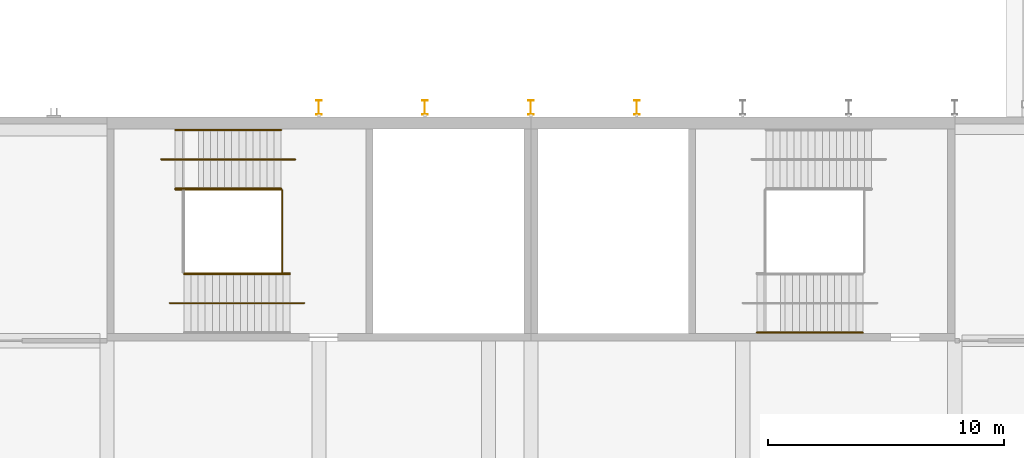
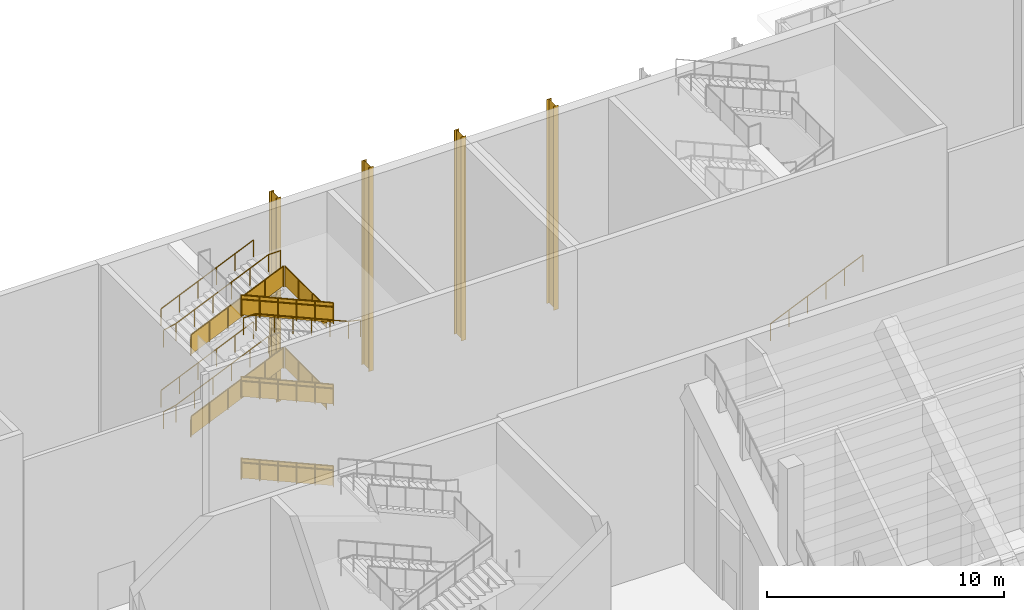
# One storey, part 171 of 182: 18 railings, 4 shading devices.
"""IFC4 building model written with IfcOpenShell, lengths in metres."""

import ifcopenshell
import ifcopenshell.guid

model = None  # the IFC model being written
_history = None  # IfcOwnerHistory: only IFC2X3 demands one
_inside = {}  # id of a spatial element -> (the spatial element, [elements in it])
_under = {}  # id of a project, library or spatial element -> (it, [spatial elements below it])
_declared = {}  # id of a project -> (the project, [libraries it declares])
_typed = {}  # id of a type object -> (the type object, [elements of that type])
_made_of = {}  # id of a material, layer set ... -> (it, [elements and type objects made of it])


def new_model(schema):
    """Start an empty IFC model of exactly this schema.

    Asked for "IFC4X3", IfcOpenShell would pick the latest addendum, in which some entities
    have other attributes; the version numbers below select the first issue.
    IFC2X3 requires an IfcOwnerHistory on every rooted entity: one is made here for all.
    """
    global model, _history
    if schema == "IFC4X3":
        model = ifcopenshell.file(schema_version=(4, 3, 0, 0))
    else:
        model = ifcopenshell.file(schema=schema)
    _inside.clear()
    _under.clear()
    _declared.clear()
    _typed.clear()
    _made_of.clear()
    _history = None
    if model.schema == "IFC2X3":
        org = make("IfcOrganization", Name="unknown")
        user = make(
            "IfcPersonAndOrganization",
            ThePerson=make("IfcPerson", FamilyName="unknown"),
            TheOrganization=org,
        )
        app = make(
            "IfcApplication",
            ApplicationDeveloper=org,
            Version="unknown",
            ApplicationFullName="unknown",
            ApplicationIdentifier="unknown",
        )
        _history = make(
            "IfcOwnerHistory",
            OwningUser=user,
            OwningApplication=app,
            ChangeAction="ADDED",
            CreationDate=0,
        )
    return model


def make(cls, **values):
    """One entity of the class cls with the attributes given. An attribute that is None is left unset."""
    return model.create_entity(
        cls, **{name: value for name, value in values.items() if value is not None}
    )


def rooted(cls, **values):
    """An entity with a GlobalId (a new one), such as an element, a storey or a relation."""
    return make(cls, GlobalId=ifcopenshell.guid.new(), OwnerHistory=_history, **values)


def si_unit(unit_type, name, prefix=None):
    """IfcSIUnit, for example si_unit("LENGTHUNIT", "METRE", prefix="MILLI")."""
    return make("IfcSIUnit", UnitType=unit_type, Prefix=prefix, Name=name)


def assignment(units):
    """IfcUnitAssignment: the units of a project."""
    return None if units is None else make("IfcUnitAssignment", Units=units)


def point(xyz):
    """IfcCartesianPoint."""
    return None if xyz is None else make("IfcCartesianPoint", Coordinates=xyz)


def direction(xyz):
    """IfcDirection."""
    return None if xyz is None else make("IfcDirection", DirectionRatios=xyz)


def frame(location, z_axis=None, x_axis=None):
    """IfcAxis2Placement3D, a coordinate frame: its origin and axes. An axis left out is left unset."""
    return make(
        "IfcAxis2Placement3D",
        Location=point(location),
        Axis=direction(z_axis),
        RefDirection=direction(x_axis),
    )


def frame_2d(location, x_axis=None):
    """IfcAxis2Placement2D, a coordinate frame in the plane: its origin and x axis."""
    return make(
        "IfcAxis2Placement2D", Location=point(location), RefDirection=direction(x_axis)
    )


def origin():
    """The frame at (0, 0, 0) with its axes left unset."""
    return frame((0.0, 0.0, 0.0))


def origin_2d():
    """The frame at (0, 0) in the plane with its x axis left unset."""
    return frame_2d((0.0, 0.0))


def place(relative_to, where):
    """IfcLocalPlacement: puts the frame where relative to a parent placement (None: the world)."""
    return make(
        "IfcLocalPlacement", PlacementRelTo=relative_to, RelativePlacement=where
    )


def context(
    kind, dimensions, precision=None, world=None, true_north=None, identifier=None
):
    """IfcGeometricRepresentationContext, for example the 3D "Model" context."""
    return make(
        "IfcGeometricRepresentationContext",
        ContextIdentifier=identifier,
        ContextType=kind,
        CoordinateSpaceDimension=dimensions,
        Precision=precision,
        WorldCoordinateSystem=world,
        TrueNorth=true_north,
    )


def subcontext(parent, identifier, kind, view, scale=None):
    """IfcGeometricRepresentationSubContext, for example "Body" below "Model"."""
    return make(
        "IfcGeometricRepresentationSubContext",
        ContextIdentifier=identifier,
        ContextType=kind,
        ParentContext=parent,
        TargetScale=scale,
        TargetView=view,
    )


def project(units=None, contexts=None):
    """IfcProject with its units and contexts."""
    return rooted(
        "IfcProject",
        Name="project",
        RepresentationContexts=contexts,
        UnitsInContext=assignment(units),
    )


def spatial(cls, under=None, at=None, **own):
    """A site, building, storey or space (cls), placed at a placement, below another one or the project."""
    s = rooted(cls, ObjectPlacement=at, **own)
    if under is not None:
        _under.setdefault(under.id(), (under, []))[1].append(s)
    return s


def polyline(points):
    """IfcPolyline through the points."""
    return make("IfcPolyline", Points=[point(p) for p in points])


def profile(cls, at=None, kind="AREA", **sizes):
    """A parametric profile (cls). Its sizes go by their IFC names, for example OverallWidth=200.0."""
    return make(cls, ProfileType=kind, Position=at, **sizes)


def circle(**sizes):
    """IfcCircleProfileDef."""
    return profile("IfcCircleProfileDef", **sizes)


def i_section(**sizes):
    """IfcIShapeProfileDef."""
    return profile("IfcIShapeProfileDef", **sizes)


def outline(outer, holes=None, kind="AREA"):
    """IfcArbitraryClosedProfileDef: a profile drawn as a closed curve; with holes, ...WithVoids."""
    if holes is None:
        return make("IfcArbitraryClosedProfileDef", ProfileType=kind, OuterCurve=outer)
    return make(
        "IfcArbitraryProfileDefWithVoids",
        ProfileType=kind,
        OuterCurve=outer,
        InnerCurves=holes,
    )


def extrude(swept, where, along, depth):
    """IfcExtrudedAreaSolid: the profile swept, set in the frame where, extruded along a direction by depth."""
    return make(
        "IfcExtrudedAreaSolid",
        SweptArea=swept,
        Position=where,
        ExtrudedDirection=direction(along),
        Depth=depth,
    )


def shape(context_of_items, identifier, shape_type, items):
    """IfcShapeRepresentation: the items that make up one representation, for example the "Body"."""
    return make(
        "IfcShapeRepresentation",
        ContextOfItems=context_of_items,
        RepresentationIdentifier=identifier,
        RepresentationType=shape_type,
        Items=items,
    )


def material(Name=None, Category=None):
    """IfcMaterial."""
    return make("IfcMaterial", Name=Name, Category=Category)


def material_profile(
    of_material, cross_section, Name=None, Category=None, Priority=None
):
    """IfcMaterialProfile: a cross section and its material."""
    return make(
        "IfcMaterialProfile",
        Name=Name,
        Material=of_material,
        Profile=cross_section,
        Priority=Priority,
        Category=Category,
    )


def profile_set(profiles, Name=None, composite=None):
    """IfcMaterialProfileSet."""
    return make(
        "IfcMaterialProfileSet",
        Name=Name,
        MaterialProfiles=profiles,
        CompositeProfile=composite,
    )


def made_of(thing, what):
    """Note that an element or type object is made of a material, layer set ...; save() writes the relation."""
    if what is not None:
        _made_of.setdefault(what.id(), (what, []))[1].append(thing)
    return thing


def type_object(cls, material=None, **own):
    """A type object (cls), such as IfcWallType, which elements share."""
    return made_of(rooted(cls, **own), material)


def element(
    cls,
    number,
    at=None,
    inside=None,
    cuts=None,
    type_object=None,
    material=None,
    context=None,
    identifier="Body",
    shape_type=None,
    held_by="IfcProductDefinitionShape",
    body=None,
    shapes=None,
    **own,
):
    """One element of the class cls, such as IfcWall. Its Tag is "e" and its number.

    at: its placement. inside: the storey or other place that contains it. cuts: it is an
    opening in that element (IfcRelVoidsElement). A single representation is given by context,
    identifier, shape_type and body (its items); several are given by shapes. held_by: the class
    of the entity that holds the representations. save() writes the other relations.
    """
    e = rooted(cls, Tag="e%d" % number, ObjectPlacement=at, **own)
    if body is not None:
        shapes = [shape(context, identifier, shape_type, body)]
    if shapes is not None:
        e.Representation = make(held_by, Representations=shapes)
    if inside is not None:
        _inside.setdefault(inside.id(), (inside, []))[1].append(e)
    if cuts is not None:
        rooted(
            "IfcRelVoidsElement", RelatingBuildingElement=cuts, RelatedOpeningElement=e
        )
    if type_object is not None:
        _typed.setdefault(type_object.id(), (type_object, []))[1].append(e)
    return made_of(e, material)


def aggregate(whole, parts):
    """IfcRelAggregates: a whole, such as a stair, and the parts it consists of."""
    return rooted("IfcRelAggregates", RelatingObject=whole, RelatedObjects=parts)


def save(model, path):
    """Write the relations noted so far, then the file.

    IfcRelAggregates (storeys below a building ...), IfcRelContainedInSpatialStructure (elements
    in a storey), IfcRelDefinesByType, IfcRelAssociatesMaterial and IfcRelDeclares: one each for
    every whole, place, type object, material and project.
    """
    for whole, parts in _under.values():
        aggregate(whole, parts)
    for where, things in _inside.values():
        rooted(
            "IfcRelContainedInSpatialStructure",
            RelatedElements=things,
            RelatingStructure=where,
        )
    for kind, things in _typed.values():
        rooted("IfcRelDefinesByType", RelatedObjects=things, RelatingType=kind)
    for what, things in _made_of.values():
        rooted("IfcRelAssociatesMaterial", RelatedObjects=things, RelatingMaterial=what)
    for by, libraries in _declared.values():
        rooted("IfcRelDeclares", RelatingContext=by, RelatedDefinitions=libraries)
    model.write(path)


model = new_model("IFC4")

# Units and contexts
model_context = context("Model", 3, precision=1e-05, world=origin(), true_north=direction((0.0, 1.0)))
body_context = subcontext(model_context, "Body", "Model", "MODEL_VIEW")
ifc_project = project(units=[si_unit("LENGTHUNIT", "METRE"), si_unit("AREAUNIT", "SQUARE_METRE"), si_unit("VOLUMEUNIT", "CUBIC_METRE"), si_unit("PLANEANGLEUNIT", "RADIAN"), si_unit("MASSUNIT", "GRAM", prefix="KILO")], contexts=[model_context])

# Site, building, storey
site_placement = place(None, origin())
site = spatial("IfcSite", under=ifc_project, at=site_placement, CompositionType="ELEMENT")
building_placement = place(site_placement, origin())
building = spatial("IfcBuilding", under=site, at=building_placement, Name="Silverbay Arena", CompositionType="ELEMENT")
storey_placement = place(building_placement, frame((0.0, 0.0, 11.5)))
storey = spatial("IfcBuildingStorey", under=building, at=storey_placement, Name="L02", CompositionType="ELEMENT", Elevation=11.5)

# Railings
ifc_material_1 = material(Name="Stainless steel", Category="steel")
railing_type_1 = type_object("IfcRailingType", Name="Stair guard 1100", PredefinedType="GUARDRAIL", material=ifc_material_1)
railing_1_placement = place(storey_placement, frame((88.774169921875, 137.875, 0.13134765625)))
element("IfcRailing", 1, at=railing_1_placement, inside=storey, type_object=railing_type_1, Name="Stair ST-N1 L02 to L03 flight 1 guard right", PredefinedType="GUARDRAIL", context=body_context, shape_type="SweptSolid", body=[
    extrude(circle(Radius=0.02392578125, at=origin_2d()), frame((0.0, 0.0, 1.076171875), z_axis=(-0.916157334902, 0.0, 0.40081883402), x_axis=(0.0, -1.0, 0.0)), (0.0, 0.0, 1.0), 4.911865234375),
    extrude(outline(polyline([(-0.008056640625, 0.04638671875), (0.907958984375, 0.447265625), (0.907958984375, 1.4501953125), (-0.008056640625, 1.049560546875), (-0.008056640625, 0.04638671875)])), frame((0.0, -0.0029296875, 0.0), z_axis=(0.0, 1.0, 0.0), x_axis=(-1.0, 0.0, 0.0)), (0.0, 0.0, 1.0), 0.006103515625),
    extrude(outline(polyline([(-0.008056640625, 0.440185546875), (0.907958984375, 0.841064453125), (0.907958984375, 1.843994140625), (-0.008056640625, 1.443359375), (-0.008056640625, 0.440185546875)])), frame((-0.89990234375, -0.0029296875, 0.0), z_axis=(0.0, 1.0, 0.0), x_axis=(-1.0, 0.0, 0.0)), (0.0, 0.0, 1.0), 0.006103515625),
    extrude(outline(polyline([(-0.008056640625, 0.833984375), (0.907958984375, 1.23486328125), (0.907958984375, 2.23779296875), (-0.008056640625, 1.8369140625), (-0.008056640625, 0.833984375)])), frame((-1.800048828125, -0.0029296875, 0.0), z_axis=(0.0, 1.0, 0.0), x_axis=(-1.0, 0.0, 0.0)), (0.0, 0.0, 1.0), 0.006103515625),
    extrude(outline(polyline([(-0.008056640625, 1.227783203125), (0.907958984375, 1.62841796875), (0.907958984375, 2.631591796875), (-0.008056640625, 2.230712890625), (-0.008056640625, 1.227783203125)])), frame((-2.699951171875, -0.0029296875, 0.0), z_axis=(0.0, 1.0, 0.0), x_axis=(-1.0, 0.0, 0.0)), (0.0, 0.0, 1.0), 0.006103515625),
    extrude(outline(polyline([(-0.008056640625, 1.62158203125), (0.907958984375, 2.022216796875), (0.907958984375, 3.025146484375), (-0.008056640625, 2.62451171875), (-0.008056640625, 1.62158203125)])), frame((-3.60009765625, -0.0029296875, 0.0), z_axis=(0.0, 1.0, 0.0), x_axis=(-1.0, 0.0, 0.0)), (0.0, 0.0, 1.0), 0.006103515625),
    extrude(circle(Radius=0.02099609375, at=origin_2d()), origin(), (0.0, 0.0, 1.0), 1.052001953125),
    extrude(circle(Radius=0.02099609375, at=origin_2d()), frame((-0.89990234375, 0.0, 0.393798828125)), (0.0, 0.0, 1.0), 1.052001953125),
    extrude(circle(Radius=0.02099609375, at=origin_2d()), frame((-1.800048828125, 0.0, 0.78759765625)), (0.0, 0.0, 1.0), 1.052001953125),
    extrude(circle(Radius=0.02099609375, at=origin_2d()), frame((-2.699951171875, 0.0, 1.18115234375)), (0.0, 0.0, 1.0), 1.052001953125),
    extrude(circle(Radius=0.02099609375, at=origin_2d()), frame((-3.60009765625, 0.0, 1.574951171875)), (0.0, 0.0, 1.0), 1.052001953125),
    extrude(circle(Radius=0.02099609375, at=origin_2d()), frame((-4.5, 0.0, 1.96875)), (0.0, 0.0, 1.0), 1.052001953125),
])
railing_2_placement = place(storey_placement, frame((83.89990234375, 141.425048828125, 2.231201171875)))
element("IfcRailing", 2, at=railing_2_placement, inside=storey, type_object=railing_type_1, Name="Stair ST-N1 L02 to L03 flight 2 guard left", PredefinedType="GUARDRAIL", context=body_context, shape_type="SweptSolid", body=[
    extrude(circle(Radius=0.02392578125, at=origin_2d()), frame((0.0, 0.0, 1.076171875), z_axis=(0.916157334902, 0.0, 0.40081883402), x_axis=(0.0, 1.0, 0.0)), (0.0, 0.0, 1.0), 4.911865234375),
    extrude(outline(polyline([(-0.008056640625, 0.04638671875), (0.907958984375, 0.447265625), (0.907958984375, 1.4501953125), (-0.008056640625, 1.049560546875), (-0.008056640625, 0.04638671875)])), frame((0.0, 0.0029296875, 0.0), z_axis=(0.0, -1.0, 0.0), x_axis=(1.0, 0.0, 0.0)), (0.0, 0.0, 1.0), 0.006103515625),
    extrude(outline(polyline([(-0.008056640625, 0.440185546875), (0.907958984375, 0.841064453125), (0.907958984375, 1.843994140625), (-0.008056640625, 1.443359375), (-0.008056640625, 0.440185546875)])), frame((0.89990234375, 0.0029296875, 0.0), z_axis=(0.0, -1.0, 0.0), x_axis=(1.0, 0.0, 0.0)), (0.0, 0.0, 1.0), 0.006103515625),
    extrude(outline(polyline([(-0.008056640625, 0.833984375), (0.907958984375, 1.23486328125), (0.907958984375, 2.23779296875), (-0.008056640625, 1.8369140625), (-0.008056640625, 0.833984375)])), frame((1.800048828125, 0.0029296875, 0.0), z_axis=(0.0, -1.0, 0.0), x_axis=(1.0, 0.0, 0.0)), (0.0, 0.0, 1.0), 0.006103515625),
    extrude(outline(polyline([(-0.008056640625, 1.227783203125), (0.907958984375, 1.62841796875), (0.907958984375, 2.631591796875), (-0.008056640625, 2.230712890625), (-0.008056640625, 1.227783203125)])), frame((2.699951171875, 0.0029296875, 0.0), z_axis=(0.0, -1.0, 0.0), x_axis=(1.0, 0.0, 0.0)), (0.0, 0.0, 1.0), 0.006103515625),
    extrude(outline(polyline([(-0.008056640625, 1.62158203125), (0.907958984375, 2.022216796875), (0.907958984375, 3.025146484375), (-0.008056640625, 2.62451171875), (-0.008056640625, 1.62158203125)])), frame((3.60009765625, 0.0029296875, 0.0), z_axis=(0.0, -1.0, 0.0), x_axis=(1.0, 0.0, 0.0)), (0.0, 0.0, 1.0), 0.006103515625),
    extrude(circle(Radius=0.02099609375, at=origin_2d()), origin(), (0.0, 0.0, 1.0), 1.052001953125),
    extrude(circle(Radius=0.02099609375, at=origin_2d()), frame((0.89990234375, 0.0, 0.393798828125)), (0.0, 0.0, 1.0), 1.052001953125),
    extrude(circle(Radius=0.02099609375, at=origin_2d()), frame((1.800048828125, 0.0, 0.78759765625)), (0.0, 0.0, 1.0), 1.052001953125),
    extrude(circle(Radius=0.02099609375, at=origin_2d()), frame((2.699951171875, 0.0, 1.18115234375)), (0.0, 0.0, 1.0), 1.052001953125),
    extrude(circle(Radius=0.02099609375, at=origin_2d()), frame((3.60009765625, 0.0, 1.574951171875)), (0.0, 0.0, 1.0), 1.052001953125),
    extrude(circle(Radius=0.02099609375, at=origin_2d()), frame((4.5, 0.0, 1.96875)), (0.0, 0.0, 1.0), 1.052001953125),
])
railing_3_placement = place(storey_placement, frame((88.774169921875, 137.875, 4.331298828125)))
element("IfcRailing", 3, at=railing_3_placement, inside=storey, type_object=railing_type_1, Name="Stair ST-N1 L02 to L03 flight 3 guard right", PredefinedType="GUARDRAIL", context=body_context, shape_type="SweptSolid", body=[
    extrude(circle(Radius=0.02392578125, at=origin_2d()), frame((0.0, 0.0, 1.076171875), z_axis=(-0.916157334902, 0.0, 0.40081883402), x_axis=(0.0, -1.0, 0.0)), (0.0, 0.0, 1.0), 4.911865234375),
    extrude(outline(polyline([(-0.008056640625, 0.04638671875), (0.907958984375, 0.447265625), (0.907958984375, 1.4501953125), (-0.008056640625, 1.049560546875), (-0.008056640625, 0.04638671875)])), frame((0.0, -0.0029296875, 0.0), z_axis=(0.0, 1.0, 0.0), x_axis=(-1.0, 0.0, 0.0)), (0.0, 0.0, 1.0), 0.006103515625),
    extrude(outline(polyline([(-0.008056640625, 0.440185546875), (0.907958984375, 0.841064453125), (0.907958984375, 1.843994140625), (-0.008056640625, 1.443359375), (-0.008056640625, 0.440185546875)])), frame((-0.89990234375, -0.0029296875, 0.0), z_axis=(0.0, 1.0, 0.0), x_axis=(-1.0, 0.0, 0.0)), (0.0, 0.0, 1.0), 0.006103515625),
    extrude(outline(polyline([(-0.008056640625, 0.833984375), (0.907958984375, 1.23486328125), (0.907958984375, 2.23779296875), (-0.008056640625, 1.8369140625), (-0.008056640625, 0.833984375)])), frame((-1.800048828125, -0.0029296875, 0.0), z_axis=(0.0, 1.0, 0.0), x_axis=(-1.0, 0.0, 0.0)), (0.0, 0.0, 1.0), 0.006103515625),
    extrude(outline(polyline([(-0.008056640625, 1.227783203125), (0.907958984375, 1.62841796875), (0.907958984375, 2.631591796875), (-0.008056640625, 2.230712890625), (-0.008056640625, 1.227783203125)])), frame((-2.699951171875, -0.0029296875, 0.0), z_axis=(0.0, 1.0, 0.0), x_axis=(-1.0, 0.0, 0.0)), (0.0, 0.0, 1.0), 0.006103515625),
    extrude(outline(polyline([(-0.008056640625, 1.62158203125), (0.907958984375, 2.022216796875), (0.907958984375, 3.025146484375), (-0.008056640625, 2.62451171875), (-0.008056640625, 1.62158203125)])), frame((-3.60009765625, -0.0029296875, 0.0), z_axis=(0.0, 1.0, 0.0), x_axis=(-1.0, 0.0, 0.0)), (0.0, 0.0, 1.0), 0.006103515625),
    extrude(circle(Radius=0.02099609375, at=origin_2d()), origin(), (0.0, 0.0, 1.0), 1.052001953125),
    extrude(circle(Radius=0.02099609375, at=origin_2d()), frame((-0.89990234375, 0.0, 0.393798828125)), (0.0, 0.0, 1.0), 1.052001953125),
    extrude(circle(Radius=0.02099609375, at=origin_2d()), frame((-1.800048828125, 0.0, 0.78759765625)), (0.0, 0.0, 1.0), 1.052001953125),
    extrude(circle(Radius=0.02099609375, at=origin_2d()), frame((-2.699951171875, 0.0, 1.18115234375)), (0.0, 0.0, 1.0), 1.052001953125),
    extrude(circle(Radius=0.02099609375, at=origin_2d()), frame((-3.60009765625, 0.0, 1.574951171875)), (0.0, 0.0, 1.0), 1.052001953125),
    extrude(circle(Radius=0.02099609375, at=origin_2d()), frame((-4.5, 0.0, 1.96875)), (0.0, 0.0, 1.0), 1.052001953125),
])
railing_4_placement = place(storey_placement, frame((83.89990234375, 141.425048828125, 6.43115234375)))
element("IfcRailing", 4, at=railing_4_placement, inside=storey, type_object=railing_type_1, Name="Stair ST-N1 L02 to L03 flight 4 guard left", PredefinedType="GUARDRAIL", context=body_context, shape_type="SweptSolid", body=[
    extrude(circle(Radius=0.02392578125, at=origin_2d()), frame((0.0, 0.0, 1.076171875), z_axis=(0.916157334902, 0.0, 0.40081883402), x_axis=(0.0, 1.0, 0.0)), (0.0, 0.0, 1.0), 4.911865234375),
    extrude(outline(polyline([(-0.008056640625, 0.04638671875), (0.907958984375, 0.447265625), (0.907958984375, 1.4501953125), (-0.008056640625, 1.049560546875), (-0.008056640625, 0.04638671875)])), frame((0.0, 0.0029296875, 0.0), z_axis=(0.0, -1.0, 0.0), x_axis=(1.0, 0.0, 0.0)), (0.0, 0.0, 1.0), 0.006103515625),
    extrude(outline(polyline([(-0.008056640625, 0.440185546875), (0.907958984375, 0.841064453125), (0.907958984375, 1.843994140625), (-0.008056640625, 1.443359375), (-0.008056640625, 0.440185546875)])), frame((0.89990234375, 0.0029296875, 0.0), z_axis=(0.0, -1.0, 0.0), x_axis=(1.0, 0.0, 0.0)), (0.0, 0.0, 1.0), 0.006103515625),
    extrude(outline(polyline([(-0.008056640625, 0.833984375), (0.907958984375, 1.23486328125), (0.907958984375, 2.23779296875), (-0.008056640625, 1.8369140625), (-0.008056640625, 0.833984375)])), frame((1.800048828125, 0.0029296875, 0.0), z_axis=(0.0, -1.0, 0.0), x_axis=(1.0, 0.0, 0.0)), (0.0, 0.0, 1.0), 0.006103515625),
    extrude(outline(polyline([(-0.008056640625, 1.227783203125), (0.907958984375, 1.62841796875), (0.907958984375, 2.631591796875), (-0.008056640625, 2.230712890625), (-0.008056640625, 1.227783203125)])), frame((2.699951171875, 0.0029296875, 0.0), z_axis=(0.0, -1.0, 0.0), x_axis=(1.0, 0.0, 0.0)), (0.0, 0.0, 1.0), 0.006103515625),
    extrude(outline(polyline([(-0.008056640625, 1.62158203125), (0.907958984375, 2.022216796875), (0.907958984375, 3.025146484375), (-0.008056640625, 2.62451171875), (-0.008056640625, 1.62158203125)])), frame((3.60009765625, 0.0029296875, 0.0), z_axis=(0.0, -1.0, 0.0), x_axis=(1.0, 0.0, 0.0)), (0.0, 0.0, 1.0), 0.006103515625),
    extrude(circle(Radius=0.02099609375, at=origin_2d()), origin(), (0.0, 0.0, 1.0), 1.052001953125),
    extrude(circle(Radius=0.02099609375, at=origin_2d()), frame((0.89990234375, 0.0, 0.393798828125)), (0.0, 0.0, 1.0), 1.052001953125),
    extrude(circle(Radius=0.02099609375, at=origin_2d()), frame((1.800048828125, 0.0, 0.78759765625)), (0.0, 0.0, 1.0), 1.052001953125),
    extrude(circle(Radius=0.02099609375, at=origin_2d()), frame((2.699951171875, 0.0, 1.18115234375)), (0.0, 0.0, 1.0), 1.052001953125),
    extrude(circle(Radius=0.02099609375, at=origin_2d()), frame((3.60009765625, 0.0, 1.574951171875)), (0.0, 0.0, 1.0), 1.052001953125),
    extrude(circle(Radius=0.02099609375, at=origin_2d()), frame((4.5, 0.0, 1.96875)), (0.0, 0.0, 1.0), 1.052001953125),
])
railing_5_placement = place(storey_placement, frame((88.774169921875, 137.875, 8.53125)))
element("IfcRailing", 5, at=railing_5_placement, inside=storey, type_object=railing_type_1, Name="Stair ST-N1 L02 to L03 flight 5 guard right", PredefinedType="GUARDRAIL", context=body_context, shape_type="SweptSolid", body=[
    extrude(circle(Radius=0.02392578125, at=origin_2d()), frame((0.0, 0.0, 1.076171875), z_axis=(-0.916157334902, 0.0, 0.40081883402), x_axis=(0.0, -1.0, 0.0)), (0.0, 0.0, 1.0), 4.911865234375),
    extrude(outline(polyline([(-0.008056640625, 0.04638671875), (0.907958984375, 0.447265625), (0.907958984375, 1.4501953125), (-0.008056640625, 1.049560546875), (-0.008056640625, 0.04638671875)])), frame((0.0, -0.0029296875, 0.0), z_axis=(0.0, 1.0, 0.0), x_axis=(-1.0, 0.0, 0.0)), (0.0, 0.0, 1.0), 0.006103515625),
    extrude(outline(polyline([(-0.008056640625, 0.440185546875), (0.907958984375, 0.841064453125), (0.907958984375, 1.843994140625), (-0.008056640625, 1.443359375), (-0.008056640625, 0.440185546875)])), frame((-0.89990234375, -0.0029296875, 0.0), z_axis=(0.0, 1.0, 0.0), x_axis=(-1.0, 0.0, 0.0)), (0.0, 0.0, 1.0), 0.006103515625),
    extrude(outline(polyline([(-0.008056640625, 0.833984375), (0.907958984375, 1.23486328125), (0.907958984375, 2.23779296875), (-0.008056640625, 1.8369140625), (-0.008056640625, 0.833984375)])), frame((-1.800048828125, -0.0029296875, 0.0), z_axis=(0.0, 1.0, 0.0), x_axis=(-1.0, 0.0, 0.0)), (0.0, 0.0, 1.0), 0.006103515625),
    extrude(outline(polyline([(-0.008056640625, 1.227783203125), (0.907958984375, 1.62841796875), (0.907958984375, 2.631591796875), (-0.008056640625, 2.230712890625), (-0.008056640625, 1.227783203125)])), frame((-2.699951171875, -0.0029296875, 0.0), z_axis=(0.0, 1.0, 0.0), x_axis=(-1.0, 0.0, 0.0)), (0.0, 0.0, 1.0), 0.006103515625),
    extrude(outline(polyline([(-0.008056640625, 1.62158203125), (0.907958984375, 2.022216796875), (0.907958984375, 3.025146484375), (-0.008056640625, 2.62451171875), (-0.008056640625, 1.62158203125)])), frame((-3.60009765625, -0.0029296875, 0.0), z_axis=(0.0, 1.0, 0.0), x_axis=(-1.0, 0.0, 0.0)), (0.0, 0.0, 1.0), 0.006103515625),
    extrude(circle(Radius=0.02099609375, at=origin_2d()), origin(), (0.0, 0.0, 1.0), 1.052001953125),
    extrude(circle(Radius=0.02099609375, at=origin_2d()), frame((-0.89990234375, 0.0, 0.393798828125)), (0.0, 0.0, 1.0), 1.052001953125),
    extrude(circle(Radius=0.02099609375, at=origin_2d()), frame((-1.800048828125, 0.0, 0.78759765625)), (0.0, 0.0, 1.0), 1.052001953125),
    extrude(circle(Radius=0.02099609375, at=origin_2d()), frame((-2.699951171875, 0.0, 1.18115234375)), (0.0, 0.0, 1.0), 1.052001953125),
    extrude(circle(Radius=0.02099609375, at=origin_2d()), frame((-3.60009765625, 0.0, 1.574951171875)), (0.0, 0.0, 1.0), 1.052001953125),
    extrude(circle(Radius=0.02099609375, at=origin_2d()), frame((-4.5, 0.0, 1.96875)), (0.0, 0.0, 1.0), 1.052001953125),
])
for number, where, name in (
    (6, (88.449951171875, 137.89990234375, 4.199951171875), "Stair ST-N1 L02 to L03 landing 2 guard"),
    (7, (88.449951171875, 137.89990234375, 8.39990234375), "Stair ST-N1 L02 to L03 landing 4 guard"),
):
    element("IfcRailing", number, at=place(storey_placement, frame(where)), inside=storey, type_object=railing_type_1, Name=name, PredefinedType="GUARDRAIL", context=body_context, shape_type="SweptSolid", body=[
        extrude(circle(Radius=0.02392578125, at=origin_2d()), frame((0.0, 0.0, 1.076171875), z_axis=(0.0, 1.0, 0.0), x_axis=(-1.0, 0.0, 0.0)), (0.0, 0.0, 1.0), 3.5),
        extrude(outline(polyline([(-0.008056640625, 0.050048828125), (1.174560546875, 0.050048828125), (1.174560546875, 1.052978515625), (-0.008056640625, 1.052978515625), (-0.008056640625, 0.050048828125)])), frame((-0.0029296875, 0.0, 0.0), z_axis=(1.0, 0.0, 0.0), x_axis=(0.0, 1.0, 0.0)), (0.0, 0.0, 1.0), 0.006103515625),
        extrude(outline(polyline([(-0.008056640625, 0.050048828125), (1.174560546875, 0.050048828125), (1.174560546875, 1.052978515625), (-0.008056640625, 1.052978515625), (-0.008056640625, 0.050048828125)])), frame((-0.0029296875, 1.166748046875, 0.0), z_axis=(1.0, 0.0, 0.0), x_axis=(0.0, 1.0, 0.0)), (0.0, 0.0, 1.0), 0.006103515625),
        extrude(outline(polyline([(-0.008056640625, 0.050048828125), (1.174560546875, 0.050048828125), (1.174560546875, 1.052978515625), (-0.008056640625, 1.052978515625), (-0.008056640625, 0.050048828125)])), frame((-0.0029296875, 2.333251953125, 0.0), z_axis=(1.0, 0.0, 0.0), x_axis=(0.0, 1.0, 0.0)), (0.0, 0.0, 1.0), 0.006103515625),
        extrude(circle(Radius=0.02099609375, at=origin_2d()), origin(), (0.0, 0.0, 1.0), 1.052001953125),
        extrude(circle(Radius=0.02099609375, at=origin_2d()), frame((0.0, 1.166748046875, 0.0)), (0.0, 0.0, 1.0), 1.052001953125),
        extrude(circle(Radius=0.02099609375, at=origin_2d()), frame((0.0, 2.333251953125, 0.0)), (0.0, 0.0, 1.0), 1.052001953125),
        extrude(circle(Radius=0.02099609375, at=origin_2d()), frame((0.0, 3.5, 0.0)), (0.0, 0.0, 1.0), 1.052001953125),
    ])
ifc_material_2 = material(Name="Stainless steel", Category="steel")
railing_type_2 = type_object("IfcRailingType", Name="Stair handrail 900", PredefinedType="HANDRAIL", material=ifc_material_2)
railing_6_placement = place(storey_placement, frame((88.774169921875, 137.8359375, 0.13134765625)))
element("IfcRailing", 8, at=railing_6_placement, inside=storey, type_object=railing_type_2, Name="Stair ST-N1 L02 to L03 flight 1 handrail right", PredefinedType="HANDRAIL", context=body_context, shape_type="SweptSolid", body=[
    extrude(circle(Radius=0.02392578125, at=origin_2d()), frame((0.0, 0.0, 0.8759765625), z_axis=(-0.916157334902, 0.0, 0.40081883402), x_axis=(0.0, -1.0, 0.0)), (0.0, 0.0, 1.0), 4.911865234375),
    extrude(circle(Radius=0.02099609375, at=origin_2d()), origin(), (0.0, 0.0, 1.0), 0.851806640625),
    extrude(circle(Radius=0.02099609375, at=origin_2d()), frame((-0.89990234375, 0.0, 0.393798828125)), (0.0, 0.0, 1.0), 0.851806640625),
    extrude(circle(Radius=0.02099609375, at=origin_2d()), frame((-1.800048828125, 0.0, 0.78759765625)), (0.0, 0.0, 1.0), 0.851806640625),
    extrude(circle(Radius=0.02099609375, at=origin_2d()), frame((-2.699951171875, 0.0, 1.18115234375)), (0.0, 0.0, 1.0), 0.851806640625),
    extrude(circle(Radius=0.02099609375, at=origin_2d()), frame((-3.60009765625, 0.0, 1.574951171875)), (0.0, 0.0, 1.0), 0.851806640625),
    extrude(circle(Radius=0.02099609375, at=origin_2d()), frame((-4.5, 0.0, 1.96875)), (0.0, 0.0, 1.0), 0.851806640625),
])
for number, where, name in (
    (9, (83.89990234375, 141.464111328125, 2.231201171875), "Stair ST-N1 L02 to L03 flight 2 handrail left"),
    (10, (83.89990234375, 143.949951171875, 2.231201171875), "Stair ST-N1 L02 to L03 flight 2 handrail right"),
):
    element("IfcRailing", number, at=place(storey_placement, frame(where)), inside=storey, type_object=railing_type_2, Name=name, PredefinedType="HANDRAIL", context=body_context, shape_type="SweptSolid", body=[
        extrude(circle(Radius=0.02392578125, at=origin_2d()), frame((0.0, 0.0, 0.8759765625), z_axis=(0.916157334902, 0.0, 0.40081883402), x_axis=(0.0, 1.0, 0.0)), (0.0, 0.0, 1.0), 4.911865234375),
        extrude(circle(Radius=0.02099609375, at=origin_2d()), origin(), (0.0, 0.0, 1.0), 0.851806640625),
        extrude(circle(Radius=0.02099609375, at=origin_2d()), frame((0.89990234375, 0.0, 0.393798828125)), (0.0, 0.0, 1.0), 0.851806640625),
        extrude(circle(Radius=0.02099609375, at=origin_2d()), frame((1.800048828125, 0.0, 0.78759765625)), (0.0, 0.0, 1.0), 0.851806640625),
        extrude(circle(Radius=0.02099609375, at=origin_2d()), frame((2.699951171875, 0.0, 1.18115234375)), (0.0, 0.0, 1.0), 0.851806640625),
        extrude(circle(Radius=0.02099609375, at=origin_2d()), frame((3.60009765625, 0.0, 1.574951171875)), (0.0, 0.0, 1.0), 0.851806640625),
        extrude(circle(Radius=0.02099609375, at=origin_2d()), frame((4.5, 0.0, 1.96875)), (0.0, 0.0, 1.0), 0.851806640625),
    ])
railing_7_placement = place(storey_placement, frame((83.300048828125, 142.699951171875, 2.10009765625)))
element("IfcRailing", 11, at=railing_7_placement, inside=storey, type_object=railing_type_2, Name="Stair ST-N1 L02 to L03 flight 2 central handrail", PredefinedType="HANDRAIL", context=body_context, shape_type="SweptSolid", body=[
    extrude(circle(Radius=0.02392578125, at=origin_2d()), frame((0.0, 0.0, 0.8759765625), z_axis=(0.976938910361, 0.0, 0.213519004829), x_axis=(0.0, 1.0, 0.0)), (0.0, 0.0, 1.0), 0.614013671875),
    extrude(circle(Radius=0.02392578125, at=origin_2d()), frame((0.599853515625, 0.0, 1.0068359375), z_axis=(0.916157334902, 0.0, 0.40081883402), x_axis=(0.0, 1.0, 0.0)), (0.0, 0.0, 1.0), 4.911865234375),
    extrude(circle(Radius=0.02392578125, at=origin_2d()), frame((5.099853515625, 0.0, 2.9755859375), z_axis=(1.0, 0.0, 0.0), x_axis=(0.0, 1.0, 0.0)), (0.0, 0.0, 1.0), 0.60009765625),
    extrude(circle(Radius=0.02099609375, at=origin_2d()), origin(), (0.0, 0.0, 1.0), 0.851806640625),
    extrude(circle(Radius=0.02099609375, at=origin_2d()), frame((0.599853515625, 0.0, 0.131103515625)), (0.0, 0.0, 1.0), 0.851806640625),
    extrude(circle(Radius=0.02099609375, at=origin_2d()), frame((1.499755859375, 0.0, 0.52490234375)), (0.0, 0.0, 1.0), 0.851806640625),
    extrude(circle(Radius=0.02099609375, at=origin_2d()), frame((2.39990234375, 0.0, 0.918701171875)), (0.0, 0.0, 1.0), 0.851806640625),
    extrude(circle(Radius=0.02099609375, at=origin_2d()), frame((3.2998046875, 0.0, 1.312255859375)), (0.0, 0.0, 1.0), 0.851806640625),
    extrude(circle(Radius=0.02099609375, at=origin_2d()), frame((4.199951171875, 0.0, 1.7060546875)), (0.0, 0.0, 1.0), 0.851806640625),
    extrude(circle(Radius=0.02099609375, at=origin_2d()), frame((5.099853515625, 0.0, 2.099853515625)), (0.0, 0.0, 1.0), 0.851806640625),
    extrude(circle(Radius=0.02099609375, at=origin_2d()), frame((5.699951171875, 0.0, 2.099853515625)), (0.0, 0.0, 1.0), 0.851806640625),
])
railing_8_placement = place(storey_placement, frame((88.774169921875, 137.8359375, 4.331298828125)))
element("IfcRailing", 12, at=railing_8_placement, inside=storey, type_object=railing_type_2, Name="Stair ST-N1 L02 to L03 flight 3 handrail right", PredefinedType="HANDRAIL", context=body_context, shape_type="SweptSolid", body=[
    extrude(circle(Radius=0.02392578125, at=origin_2d()), frame((0.0, 0.0, 0.8759765625), z_axis=(-0.916157334902, 0.0, 0.40081883402), x_axis=(0.0, -1.0, 0.0)), (0.0, 0.0, 1.0), 4.911865234375),
    extrude(circle(Radius=0.02099609375, at=origin_2d()), origin(), (0.0, 0.0, 1.0), 0.851806640625),
    extrude(circle(Radius=0.02099609375, at=origin_2d()), frame((-0.89990234375, 0.0, 0.393798828125)), (0.0, 0.0, 1.0), 0.851806640625),
    extrude(circle(Radius=0.02099609375, at=origin_2d()), frame((-1.800048828125, 0.0, 0.78759765625)), (0.0, 0.0, 1.0), 0.851806640625),
    extrude(circle(Radius=0.02099609375, at=origin_2d()), frame((-2.699951171875, 0.0, 1.18115234375)), (0.0, 0.0, 1.0), 0.851806640625),
    extrude(circle(Radius=0.02099609375, at=origin_2d()), frame((-3.60009765625, 0.0, 1.574951171875)), (0.0, 0.0, 1.0), 0.851806640625),
    extrude(circle(Radius=0.02099609375, at=origin_2d()), frame((-4.5, 0.0, 1.96875)), (0.0, 0.0, 1.0), 0.851806640625),
])
for number, where, name in (
    (13, (83.89990234375, 141.464111328125, 6.43115234375), "Stair ST-N1 L02 to L03 flight 4 handrail left"),
    (14, (83.89990234375, 143.949951171875, 6.43115234375), "Stair ST-N1 L02 to L03 flight 4 handrail right"),
):
    element("IfcRailing", number, at=place(storey_placement, frame(where)), inside=storey, type_object=railing_type_2, Name=name, PredefinedType="HANDRAIL", context=body_context, shape_type="SweptSolid", body=[
        extrude(circle(Radius=0.02392578125, at=origin_2d()), frame((0.0, 0.0, 0.8759765625), z_axis=(0.916157334902, 0.0, 0.40081883402), x_axis=(0.0, 1.0, 0.0)), (0.0, 0.0, 1.0), 4.911865234375),
        extrude(circle(Radius=0.02099609375, at=origin_2d()), origin(), (0.0, 0.0, 1.0), 0.851806640625),
        extrude(circle(Radius=0.02099609375, at=origin_2d()), frame((0.89990234375, 0.0, 0.393798828125)), (0.0, 0.0, 1.0), 0.851806640625),
        extrude(circle(Radius=0.02099609375, at=origin_2d()), frame((1.800048828125, 0.0, 0.78759765625)), (0.0, 0.0, 1.0), 0.851806640625),
        extrude(circle(Radius=0.02099609375, at=origin_2d()), frame((2.699951171875, 0.0, 1.18115234375)), (0.0, 0.0, 1.0), 0.851806640625),
        extrude(circle(Radius=0.02099609375, at=origin_2d()), frame((3.60009765625, 0.0, 1.574951171875)), (0.0, 0.0, 1.0), 0.851806640625),
        extrude(circle(Radius=0.02099609375, at=origin_2d()), frame((4.5, 0.0, 1.96875)), (0.0, 0.0, 1.0), 0.851806640625),
    ])
railing_9_placement = place(storey_placement, frame((83.300048828125, 142.699951171875, 6.300048828125)))
element("IfcRailing", 15, at=railing_9_placement, inside=storey, type_object=railing_type_2, Name="Stair ST-N1 L02 to L03 flight 4 central handrail", PredefinedType="HANDRAIL", context=body_context, shape_type="SweptSolid", body=[
    extrude(circle(Radius=0.02392578125, at=origin_2d()), frame((0.0, 0.0, 0.8759765625), z_axis=(0.976938910361, 0.0, 0.213519004829), x_axis=(0.0, 1.0, 0.0)), (0.0, 0.0, 1.0), 0.614013671875),
    extrude(circle(Radius=0.02392578125, at=origin_2d()), frame((0.599853515625, 0.0, 1.0068359375), z_axis=(0.916157334902, 0.0, 0.40081883402), x_axis=(0.0, 1.0, 0.0)), (0.0, 0.0, 1.0), 4.911865234375),
    extrude(circle(Radius=0.02392578125, at=origin_2d()), frame((5.099853515625, 0.0, 2.9755859375), z_axis=(1.0, 0.0, 0.0), x_axis=(0.0, 1.0, 0.0)), (0.0, 0.0, 1.0), 0.60009765625),
    extrude(circle(Radius=0.02099609375, at=origin_2d()), origin(), (0.0, 0.0, 1.0), 0.851806640625),
    extrude(circle(Radius=0.02099609375, at=origin_2d()), frame((0.599853515625, 0.0, 0.131103515625)), (0.0, 0.0, 1.0), 0.851806640625),
    extrude(circle(Radius=0.02099609375, at=origin_2d()), frame((1.499755859375, 0.0, 0.52490234375)), (0.0, 0.0, 1.0), 0.851806640625),
    extrude(circle(Radius=0.02099609375, at=origin_2d()), frame((2.39990234375, 0.0, 0.918701171875)), (0.0, 0.0, 1.0), 0.851806640625),
    extrude(circle(Radius=0.02099609375, at=origin_2d()), frame((3.2998046875, 0.0, 1.312255859375)), (0.0, 0.0, 1.0), 0.851806640625),
    extrude(circle(Radius=0.02099609375, at=origin_2d()), frame((4.199951171875, 0.0, 1.7060546875)), (0.0, 0.0, 1.0), 0.851806640625),
    extrude(circle(Radius=0.02099609375, at=origin_2d()), frame((5.099853515625, 0.0, 2.099853515625)), (0.0, 0.0, 1.0), 0.851806640625),
    extrude(circle(Radius=0.02099609375, at=origin_2d()), frame((5.699951171875, 0.0, 2.099853515625)), (0.0, 0.0, 1.0), 0.851806640625),
])
railing_10_placement = place(storey_placement, frame((88.774169921875, 137.8359375, 8.53125)))
element("IfcRailing", 16, at=railing_10_placement, inside=storey, type_object=railing_type_2, Name="Stair ST-N1 L02 to L03 flight 5 handrail right", PredefinedType="HANDRAIL", context=body_context, shape_type="SweptSolid", body=[
    extrude(circle(Radius=0.02392578125, at=origin_2d()), frame((0.0, 0.0, 0.8759765625), z_axis=(-0.916157334902, 0.0, 0.40081883402), x_axis=(0.0, -1.0, 0.0)), (0.0, 0.0, 1.0), 4.911865234375),
    extrude(circle(Radius=0.02099609375, at=origin_2d()), origin(), (0.0, 0.0, 1.0), 0.851806640625),
    extrude(circle(Radius=0.02099609375, at=origin_2d()), frame((-0.89990234375, 0.0, 0.393798828125)), (0.0, 0.0, 1.0), 0.851806640625),
    extrude(circle(Radius=0.02099609375, at=origin_2d()), frame((-1.800048828125, 0.0, 0.78759765625)), (0.0, 0.0, 1.0), 0.851806640625),
    extrude(circle(Radius=0.02099609375, at=origin_2d()), frame((-2.699951171875, 0.0, 1.18115234375)), (0.0, 0.0, 1.0), 0.851806640625),
    extrude(circle(Radius=0.02099609375, at=origin_2d()), frame((-3.60009765625, 0.0, 1.574951171875)), (0.0, 0.0, 1.0), 0.851806640625),
    extrude(circle(Radius=0.02099609375, at=origin_2d()), frame((-4.5, 0.0, 1.96875)), (0.0, 0.0, 1.0), 0.851806640625),
])
railing_11_placement = place(storey_placement, frame((89.374267578125, 136.60009765625, 8.39990234375)))
element("IfcRailing", 17, at=railing_11_placement, inside=storey, type_object=railing_type_2, Name="Stair ST-N1 L02 to L03 flight 5 central handrail", PredefinedType="HANDRAIL", context=body_context, shape_type="SweptSolid", body=[
    extrude(circle(Radius=0.02392578125, at=origin_2d()), frame((0.0, 0.0, 0.8759765625), z_axis=(-0.976874083041, 0.0, 0.213815401414), x_axis=(0.0, -1.0, 0.0)), (0.0, 0.0, 1.0), 0.6142578125),
    extrude(circle(Radius=0.02392578125, at=origin_2d()), frame((-0.60009765625, 0.0, 1.00732421875), z_axis=(-0.916157334902, 0.0, 0.40081883402), x_axis=(0.0, -1.0, 0.0)), (0.0, 0.0, 1.0), 4.911865234375),
    extrude(circle(Radius=0.02392578125, at=origin_2d()), frame((-5.10009765625, 0.0, 2.97607421875), z_axis=(-1.0, 0.0, 0.0), x_axis=(0.0, -1.0, 0.0)), (0.0, 0.0, 1.0), 0.599853515625),
    extrude(circle(Radius=0.02099609375, at=origin_2d()), origin(), (0.0, 0.0, 1.0), 0.851806640625),
    extrude(circle(Radius=0.02099609375, at=origin_2d()), frame((-0.60009765625, 0.0, 0.13134765625)), (0.0, 0.0, 1.0), 0.851806640625),
    extrude(circle(Radius=0.02099609375, at=origin_2d()), frame((-1.5, 0.0, 0.525146484375)), (0.0, 0.0, 1.0), 0.851806640625),
    extrude(circle(Radius=0.02099609375, at=origin_2d()), frame((-2.400146484375, 0.0, 0.9189453125)), (0.0, 0.0, 1.0), 0.851806640625),
    extrude(circle(Radius=0.02099609375, at=origin_2d()), frame((-3.300048828125, 0.0, 1.3125)), (0.0, 0.0, 1.0), 0.851806640625),
    extrude(circle(Radius=0.02099609375, at=origin_2d()), frame((-4.2001953125, 0.0, 1.706298828125)), (0.0, 0.0, 1.0), 0.851806640625),
    extrude(circle(Radius=0.02099609375, at=origin_2d()), frame((-5.10009765625, 0.0, 2.10009765625)), (0.0, 0.0, 1.0), 0.851806640625),
    extrude(circle(Radius=0.02099609375, at=origin_2d()), frame((-5.699951171875, 0.0, 2.10009765625)), (0.0, 0.0, 1.0), 0.851806640625),
])
railing_12_placement = place(storey_placement, frame((108.60009765625, 135.35009765625, 2.231201171875)))
element("IfcRailing", 18, at=railing_12_placement, inside=storey, type_object=railing_type_2, Name="Stair ST-N2 L02 to L03 flight 2 handrail left", PredefinedType="HANDRAIL", context=body_context, shape_type="SweptSolid", body=[
    extrude(circle(Radius=0.02392578125, at=origin_2d()), frame((0.0, 0.0, 0.8759765625), z_axis=(0.916157334902, 0.0, 0.40081883402), x_axis=(0.0, 1.0, 0.0)), (0.0, 0.0, 1.0), 4.911865234375),
    extrude(circle(Radius=0.02099609375, at=origin_2d()), origin(), (0.0, 0.0, 1.0), 0.851806640625),
    extrude(circle(Radius=0.02099609375, at=origin_2d()), frame((0.89990234375, 0.0, 0.393798828125)), (0.0, 0.0, 1.0), 0.851806640625),
    extrude(circle(Radius=0.02099609375, at=origin_2d()), frame((1.800048828125, 0.0, 0.78759765625)), (0.0, 0.0, 1.0), 0.851806640625),
    extrude(circle(Radius=0.02099609375, at=origin_2d()), frame((2.699951171875, 0.0, 1.18115234375)), (0.0, 0.0, 1.0), 0.851806640625),
    extrude(circle(Radius=0.02099609375, at=origin_2d()), frame((3.60009765625, 0.0, 1.574951171875)), (0.0, 0.0, 1.0), 0.851806640625),
    extrude(circle(Radius=0.02099609375, at=origin_2d()), frame((4.5, 0.0, 1.96875)), (0.0, 0.0, 1.0), 0.851806640625),
])

# Shading devices
ifc_material_3 = material(Name="Steel S355", Category="steel")
ifc_material_profile = material_profile(ifc_material_3, i_section(OverallWidth=0.2275390625, OverallDepth=0.6025390625, WebThickness=0.010498046875, FlangeThickness=0.014892578125, at=origin_2d()), Name="UB 610x229x101")
ifc_profile_set = profile_set([ifc_material_profile], Name="Steel S355")
shading_device_type = type_object("IfcShadingDeviceType", Name="Steel fin UB 610x229x101", PredefinedType="USERDEFINED", material=ifc_profile_set)
for number, where, z_axis, x_axis, name in (
    (19, (90.0, 144.9013671875, 0.0), (0.0, 0.0, 1.0), (1.0, 0.0, 0.0), "Steel fin N L02 8"),
    (20, (94.5, 144.9013671875, 0.0), (0.0, 0.0, 1.0), (1.0, 0.0, 0.0), "Steel fin N L02 9"),
    (21, (99.0, 144.9013671875, 0.0), (0.0, 0.0, 1.0), (1.0, 0.0, 0.0), "Steel fin N L02 10"),
    (22, (103.5, 144.9013671875, 0.0), (0.0, 0.0, 1.0), (1.0, 0.0, 0.0), "Steel fin N L02 11"),
):
    element("IfcShadingDevice", number, at=place(storey_placement, frame(where, z_axis=z_axis, x_axis=x_axis)), inside=storey, type_object=shading_device_type, Name=name, ObjectType="FIN", PredefinedType="USERDEFINED", context=body_context, shape_type="SweptSolid", body=[
        extrude(i_section(OverallWidth=0.2275390625, OverallDepth=0.6025390625, WebThickness=0.010498046875, FlangeThickness=0.014892578125, at=origin_2d()), origin(), (0.0, 0.0, 1.0), 10.5),
    ])

save(model, "model.ifc")
